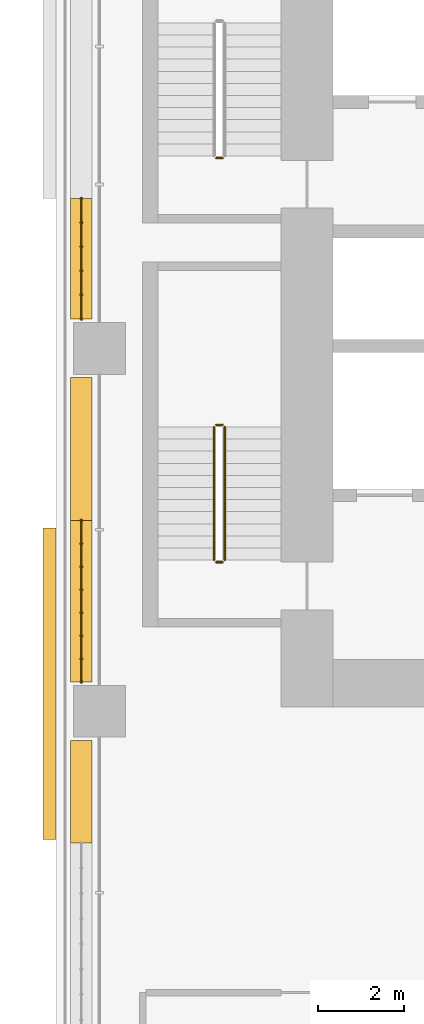
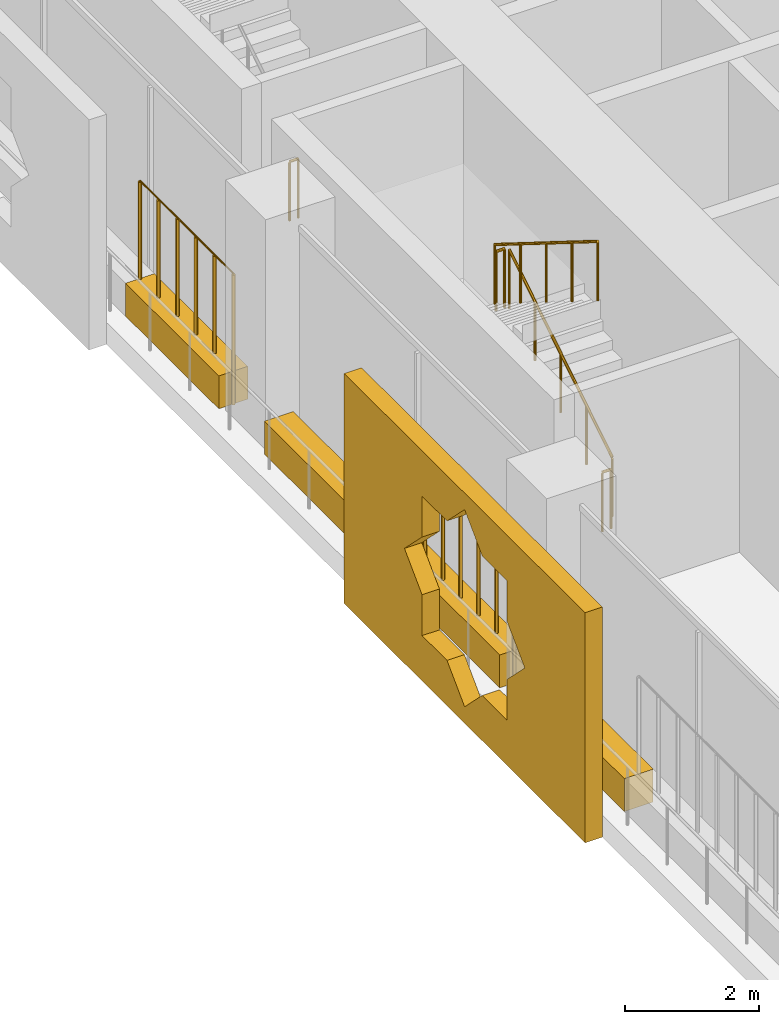
# One storey, part 23 of 28: 7 railings, 5 coverings.
"""IFC4 building model written with IfcOpenShell, lengths in metres."""

from ifc_helpers import new_model, si_unit, direction, frame, origin, origin_2d, place, context, subcontext, project, spatial, polyline, rectangle, circle, outline, extrude, material, material_profile, profile_set, type_object, element, save


model = new_model("IFC4")

# Units and contexts
model_context = context("Model", 3, precision=1e-05, world=origin(), true_north=direction((0.0, 1.0)))
body_context = subcontext(model_context, "Body", "Model", "MODEL_VIEW")
ifc_project = project(units=[si_unit("LENGTHUNIT", "METRE"), si_unit("AREAUNIT", "SQUARE_METRE"), si_unit("VOLUMEUNIT", "CUBIC_METRE"), si_unit("PLANEANGLEUNIT", "RADIAN"), si_unit("MASSUNIT", "GRAM", prefix="KILO")], contexts=[model_context])

# Site, building, storey
site_placement = place(None, origin())
site = spatial("IfcSite", under=ifc_project, at=site_placement, CompositionType="ELEMENT")
building_placement = place(site_placement, origin())
building = spatial("IfcBuilding", under=site, at=building_placement, Name="Kawkab Arch Medical Tower", CompositionType="ELEMENT")
storey_placement = place(building_placement, frame((0.0, 0.0, 68.60009765625)))
storey = spatial("IfcBuildingStorey", under=building, at=storey_placement, Name="L15", CompositionType="ELEMENT", Elevation=68.60009765625)

# Coverings
ifc_material_1 = material(Name="Bronze anodised aluminium mashrabiya panel, eight-point star pattern", Category="aluminium")
ifc_material_profile_1 = material_profile(ifc_material_1, outline(polyline([(-3.60009765625, -2.10009765625), (3.60009765625, -2.10009765625), (3.60009765625, 2.10009765625), (-3.60009765625, 2.10009765625), (-3.60009765625, -2.10009765625)]), holes=[polyline([(1.800048828125, 0.0), (1.272705078125, 0.527099609375), (1.272705078125, 1.272705078125), (0.527099609375, 1.272705078125), (0.0, 1.800048828125), (-0.527099609375, 1.272705078125), (-1.272705078125, 1.272705078125), (-1.272705078125, 0.527099609375), (-1.800048828125, 0.0), (-1.272705078125, -0.527099609375), (-1.272705078125, -1.272705078125), (-0.527099609375, -1.272705078125), (0.0, -1.800048828125), (0.527099609375, -1.272705078125), (1.272705078125, -1.272705078125), (1.272705078125, -0.527099609375), (1.800048828125, 0.0)])]), Name="Mashrabiya panel 7200x4200")
ifc_profile_set_1 = profile_set([ifc_material_profile_1], Name="Bronze anodised aluminium mashrabiya panel, eight-point star pattern")
covering_type_1 = type_object("IfcCoveringType", Name="Mashrabiya panel 7200 x 4200", PredefinedType="USERDEFINED", material=ifc_profile_set_1)
covering_1_placement = place(storey_placement, frame((-1.0, -24.561767578125, 1.699951171875), z_axis=(-1.0, 0.0, 0.0), x_axis=(0.0, -1.0, 0.0)))
element("IfcCovering", 1, at=covering_1_placement, inside=storey, type_object=covering_type_1, Name="Mashrabiya panel L15.LOG-01-01.4", ObjectType="SCREEN", PredefinedType="USERDEFINED", context=body_context, shape_type="SweptSolid", body=[
    extrude(outline(polyline([(-3.60009765625, -2.10009765625), (3.60009765625, -2.10009765625), (3.60009765625, 2.10009765625), (-3.60009765625, 2.10009765625), (-3.60009765625, -2.10009765625)]), holes=[polyline([(1.800048828125, 0.0), (1.272705078125, 0.527099609375), (1.272705078125, 1.272705078125), (0.527099609375, 1.272705078125), (0.0, 1.800048828125), (-0.527099609375, 1.272705078125), (-1.272705078125, 1.272705078125), (-1.272705078125, 0.527099609375), (-1.800048828125, 0.0), (-1.272705078125, -0.527099609375), (-1.272705078125, -1.272705078125), (-0.527099609375, -1.272705078125), (0.0, -1.800048828125), (0.527099609375, -1.272705078125), (1.272705078125, -1.272705078125), (1.272705078125, -0.527099609375), (1.800048828125, 0.0)])]), origin(), (0.0, 0.0, 1.0), 0.300048828125),
])
ifc_material_2 = material(Name="Planting soil in a precast trough", Category="concrete")
ifc_material_profile_2 = material_profile(ifc_material_2, rectangle(XDim=0.5, YDim=0.60009765625, at=origin_2d()), Name="Trough 500x600")
ifc_profile_set_2 = profile_set([ifc_material_profile_2], Name="Planting soil in a precast trough")
covering_type_2 = type_object("IfcCoveringType", Name="Planter trough 500 x 600", PredefinedType="USERDEFINED", material=ifc_profile_set_2)
covering_2_placement = place(storey_placement, frame((-0.419921875, -28.243896484375, 0.2998046875), z_axis=(0.0, 1.0, 0.0), x_axis=(-1.0, 0.0, 0.0)))
element("IfcCovering", 2, at=covering_2_placement, inside=storey, type_object=covering_type_2, Name="Planter L15.LOG-01-01.12", ObjectType="PLANTER", PredefinedType="USERDEFINED", context=body_context, shape_type="SweptSolid", body=[
    extrude(rectangle(XDim=0.5, YDim=0.60009765625, at=origin_2d()), origin(), (0.0, 0.0, 1.0), 2.364013671875),
])
covering_3_placement = place(storey_placement, frame((-0.419921875, -24.52001953125, 0.2998046875), z_axis=(0.0, 1.0, 0.0), x_axis=(-1.0, 0.0, 0.0)))
element("IfcCovering", 3, at=covering_3_placement, inside=storey, type_object=covering_type_2, Name="Planter L15.LOG-01-01.13", ObjectType="PLANTER", PredefinedType="USERDEFINED", context=body_context, shape_type="SweptSolid", body=[
    extrude(rectangle(XDim=0.5, YDim=0.60009765625, at=origin_2d()), origin(), (0.0, 0.0, 1.0), 3.73291015625),
])
covering_4_placement = place(storey_placement, frame((-0.419921875, -20.787109375, 0.2998046875), z_axis=(0.0, 1.0, 0.0), x_axis=(-1.0, 0.0, 0.0)))
element("IfcCovering", 4, at=covering_4_placement, inside=storey, type_object=covering_type_2, Name="Planter L15.LOG-01-01.14", ObjectType="PLANTER", PredefinedType="USERDEFINED", context=body_context, shape_type="SweptSolid", body=[
    extrude(rectangle(XDim=0.5, YDim=0.60009765625, at=origin_2d()), origin(), (0.0, 0.0, 1.0), 3.30712890625),
])
covering_5_placement = place(storey_placement, frame((-0.419921875, -16.1201171875, 0.2998046875), z_axis=(0.0, 1.0, 0.0), x_axis=(-1.0, 0.0, 0.0)))
element("IfcCovering", 5, at=covering_5_placement, inside=storey, type_object=covering_type_2, Name="Planter L15.LOG-01-01.15", ObjectType="PLANTER", PredefinedType="USERDEFINED", context=body_context, shape_type="SweptSolid", body=[
    extrude(rectangle(XDim=0.5, YDim=0.60009765625, at=origin_2d()), origin(), (0.0, 0.0, 1.0), 2.7890625),
])

# Railings
ifc_material_3 = material(Name="Bronze anodised aluminium trellis for climbing plants", Category="aluminium")
railing_type_1 = type_object("IfcRailingType", Name="Planting trellis 2400", PredefinedType="USERDEFINED", material=ifc_material_3)
railing_1_placement = place(storey_placement, frame((-0.419921875, -24.52001953125, 0.0)))
element("IfcRailing", 6, at=railing_1_placement, inside=storey, type_object=railing_type_1, Name="Planting trellis L15.LOG-01-01.13", ObjectType="TRELLIS", PredefinedType="USERDEFINED", context=body_context, shape_type="SweptSolid", body=[
    extrude(circle(Radius=0.01513671875, at=origin_2d()), frame((0.0, 0.0, 2.384765625), z_axis=(0.0, 1.0, 0.0), x_axis=(-1.0, 0.0, 0.0)), (0.0, 0.0, 1.0), 3.73291015625),
    extrude(circle(Radius=0.030029296875, at=origin_2d()), origin(), (0.0, 0.0, 1.0), 2.369873046875),
    extrude(circle(Radius=0.030029296875, at=origin_2d()), frame((0.0, 0.533203125, 0.0)), (0.0, 0.0, 1.0), 2.369873046875),
    extrude(circle(Radius=0.030029296875, at=origin_2d()), frame((0.0, 1.066650390625, 0.0)), (0.0, 0.0, 1.0), 2.369873046875),
    extrude(circle(Radius=0.030029296875, at=origin_2d()), frame((0.0, 1.599853515625, 0.0)), (0.0, 0.0, 1.0), 2.369873046875),
    extrude(circle(Radius=0.030029296875, at=origin_2d()), frame((0.0, 2.133056640625, 0.0)), (0.0, 0.0, 1.0), 2.369873046875),
    extrude(circle(Radius=0.030029296875, at=origin_2d()), frame((0.0, 2.666259765625, 0.0)), (0.0, 0.0, 1.0), 2.369873046875),
    extrude(circle(Radius=0.030029296875, at=origin_2d()), frame((0.0, 3.19970703125, 0.0)), (0.0, 0.0, 1.0), 2.369873046875),
    extrude(circle(Radius=0.030029296875, at=origin_2d()), frame((0.0, 3.73291015625, 0.0)), (0.0, 0.0, 1.0), 2.369873046875),
])
railing_2_placement = place(storey_placement, frame((-0.419921875, -16.1201171875, 0.0)))
element("IfcRailing", 7, at=railing_2_placement, inside=storey, type_object=railing_type_1, Name="Planting trellis L15.LOG-01-01.15", ObjectType="TRELLIS", PredefinedType="USERDEFINED", context=body_context, shape_type="SweptSolid", body=[
    extrude(circle(Radius=0.01513671875, at=origin_2d()), frame((0.0, 0.0, 2.384765625), z_axis=(0.0, 1.0, 0.0), x_axis=(-1.0, 0.0, 0.0)), (0.0, 0.0, 1.0), 2.7890625),
    extrude(circle(Radius=0.030029296875, at=origin_2d()), origin(), (0.0, 0.0, 1.0), 2.369873046875),
    extrude(circle(Radius=0.030029296875, at=origin_2d()), frame((0.0, 0.557861328125, 0.0)), (0.0, 0.0, 1.0), 2.369873046875),
    extrude(circle(Radius=0.030029296875, at=origin_2d()), frame((0.0, 1.11572265625, 0.0)), (0.0, 0.0, 1.0), 2.369873046875),
    extrude(circle(Radius=0.030029296875, at=origin_2d()), frame((0.0, 1.67333984375, 0.0)), (0.0, 0.0, 1.0), 2.369873046875),
    extrude(circle(Radius=0.030029296875, at=origin_2d()), frame((0.0, 2.231201171875, 0.0)), (0.0, 0.0, 1.0), 2.369873046875),
    extrude(circle(Radius=0.030029296875, at=origin_2d()), frame((0.0, 2.7890625, 0.0)), (0.0, 0.0, 1.0), 2.369873046875),
])
ifc_material_4 = material(Name="Stainless steel", Category="steel")
railing_type_2 = type_object("IfcRailingType", Name="Stair guard 1100", PredefinedType="GUARDRAIL", material=ifc_material_4)
railing_3_placement = place(storey_placement, frame((2.85009765625, -12.39990234375, 0.0)))
element("IfcRailing", 8, at=railing_3_placement, inside=storey, type_object=railing_type_2, Name="L15 ST1 stair guard 4", PredefinedType="GUARDRAIL", context=body_context, shape_type="SweptSolid", body=[
    extrude(circle(Radius=0.02392578125, at=origin_2d()), frame((0.0, 0.0, 1.076171875), z_axis=(-1.0, 0.0, 0.0), x_axis=(0.0, -1.0, 0.0)), (0.0, 0.0, 1.0), 0.150146484375),
    extrude(circle(Radius=0.02099609375, at=origin_2d()), origin(), (0.0, 0.0, 1.0), 1.052001953125),
    extrude(circle(Radius=0.02099609375, at=origin_2d()), frame((-0.150146484375, 0.0, 0.0)), (0.0, 0.0, 1.0), 1.052001953125),
])
railing_4_placement = place(storey_placement, frame((2.89990234375, -21.699951171875, 0.1748046875)))
element("IfcRailing", 9, at=railing_4_placement, inside=storey, type_object=railing_type_2, Name="L15 ST2 stair guard 1", PredefinedType="GUARDRAIL", context=body_context, shape_type="SweptSolid", body=[
    extrude(circle(Radius=0.02392578125, at=origin_2d()), frame((0.0, 0.0, 1.076171875), z_axis=(0.0, 0.847979421464, 0.530029150871), x_axis=(-1.0, 0.0, 0.0)), (0.0, 0.0, 1.0), 3.632080078125),
    extrude(circle(Radius=0.02099609375, at=origin_2d()), origin(), (0.0, 0.0, 1.0), 1.052001953125),
    extrude(circle(Radius=0.02099609375, at=origin_2d()), frame((0.0, 0.77001953125, 0.481201171875)), (0.0, 0.0, 1.0), 1.052001953125),
    extrude(circle(Radius=0.02099609375, at=origin_2d()), frame((0.0, 1.5400390625, 0.96240234375)), (0.0, 0.0, 1.0), 1.052001953125),
    extrude(circle(Radius=0.02099609375, at=origin_2d()), frame((0.0, 2.309814453125, 1.44384765625)), (0.0, 0.0, 1.0), 1.052001953125),
    extrude(circle(Radius=0.02099609375, at=origin_2d()), frame((0.0, 3.079833984375, 1.925048828125)), (0.0, 0.0, 1.0), 1.052001953125),
])
railing_5_placement = place(storey_placement, frame((2.85009765625, -18.570068359375, 2.099853515625)))
element("IfcRailing", 10, at=railing_5_placement, inside=storey, type_object=railing_type_2, Name="L15 ST2 stair guard 2", PredefinedType="GUARDRAIL", context=body_context, shape_type="SweptSolid", body=[
    extrude(circle(Radius=0.02392578125, at=origin_2d()), frame((0.0, 0.0, 1.076171875), z_axis=(-1.0, 0.0, 0.0), x_axis=(0.0, -1.0, 0.0)), (0.0, 0.0, 1.0), 0.150146484375),
    extrude(circle(Radius=0.02099609375, at=origin_2d()), origin(), (0.0, 0.0, 1.0), 1.052001953125),
    extrude(circle(Radius=0.02099609375, at=origin_2d()), frame((-0.150146484375, 0.0, 0.0)), (0.0, 0.0, 1.0), 1.052001953125),
])
railing_6_placement = place(storey_placement, frame((2.64990234375, -18.6201171875, 2.27490234375)))
element("IfcRailing", 11, at=railing_6_placement, inside=storey, type_object=railing_type_2, Name="L15 ST2 stair guard 3", PredefinedType="GUARDRAIL", context=body_context, shape_type="SweptSolid", body=[
    extrude(circle(Radius=0.02392578125, at=origin_2d()), frame((0.0, 0.0, 1.076171875), z_axis=(0.0, -0.847979421464, 0.530029150871), x_axis=(1.0, 0.0, 0.0)), (0.0, 0.0, 1.0), 3.632080078125),
    extrude(circle(Radius=0.02099609375, at=origin_2d()), origin(), (0.0, 0.0, 1.0), 1.052001953125),
    extrude(circle(Radius=0.02099609375, at=origin_2d()), frame((0.0, -0.77001953125, 0.481201171875)), (0.0, 0.0, 1.0), 1.052001953125),
    extrude(circle(Radius=0.02099609375, at=origin_2d()), frame((0.0, -1.5400390625, 0.96240234375)), (0.0, 0.0, 1.0), 1.052001953125),
    extrude(circle(Radius=0.02099609375, at=origin_2d()), frame((0.0, -2.309814453125, 1.44384765625)), (0.0, 0.0, 1.0), 1.052001953125),
    extrude(circle(Radius=0.02099609375, at=origin_2d()), frame((0.0, -3.079833984375, 1.925048828125)), (0.0, 0.0, 1.0), 1.052001953125),
])
railing_7_placement = place(storey_placement, frame((2.85009765625, -21.75, 0.0)))
element("IfcRailing", 12, at=railing_7_placement, inside=storey, type_object=railing_type_2, Name="L15 ST2 stair guard 4", PredefinedType="GUARDRAIL", context=body_context, shape_type="SweptSolid", body=[
    extrude(circle(Radius=0.02392578125, at=origin_2d()), frame((0.0, 0.0, 1.076171875), z_axis=(-1.0, 0.0, 0.0), x_axis=(0.0, -1.0, 0.0)), (0.0, 0.0, 1.0), 0.150146484375),
    extrude(circle(Radius=0.02099609375, at=origin_2d()), origin(), (0.0, 0.0, 1.0), 1.052001953125),
    extrude(circle(Radius=0.02099609375, at=origin_2d()), frame((-0.150146484375, 0.0, 0.0)), (0.0, 0.0, 1.0), 1.052001953125),
])

save(model, "model.ifc")
